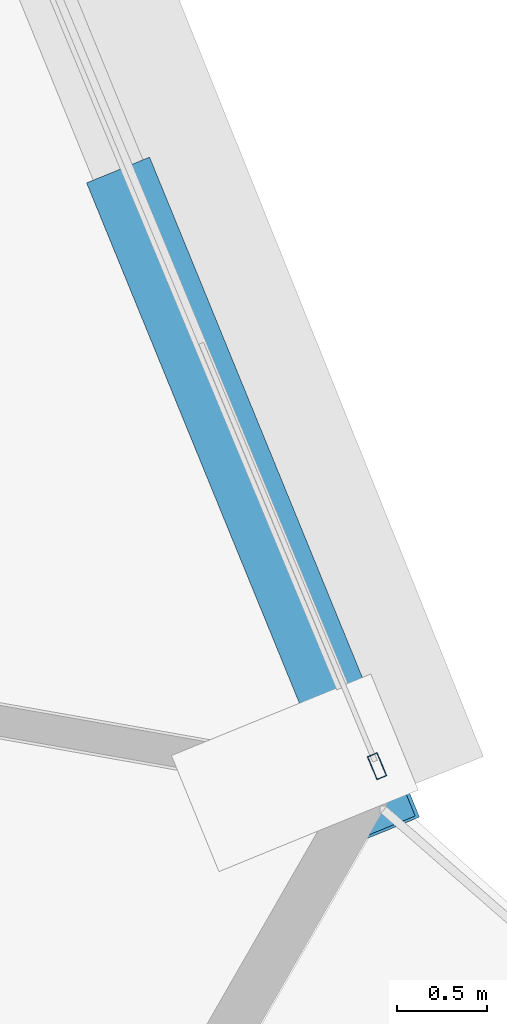
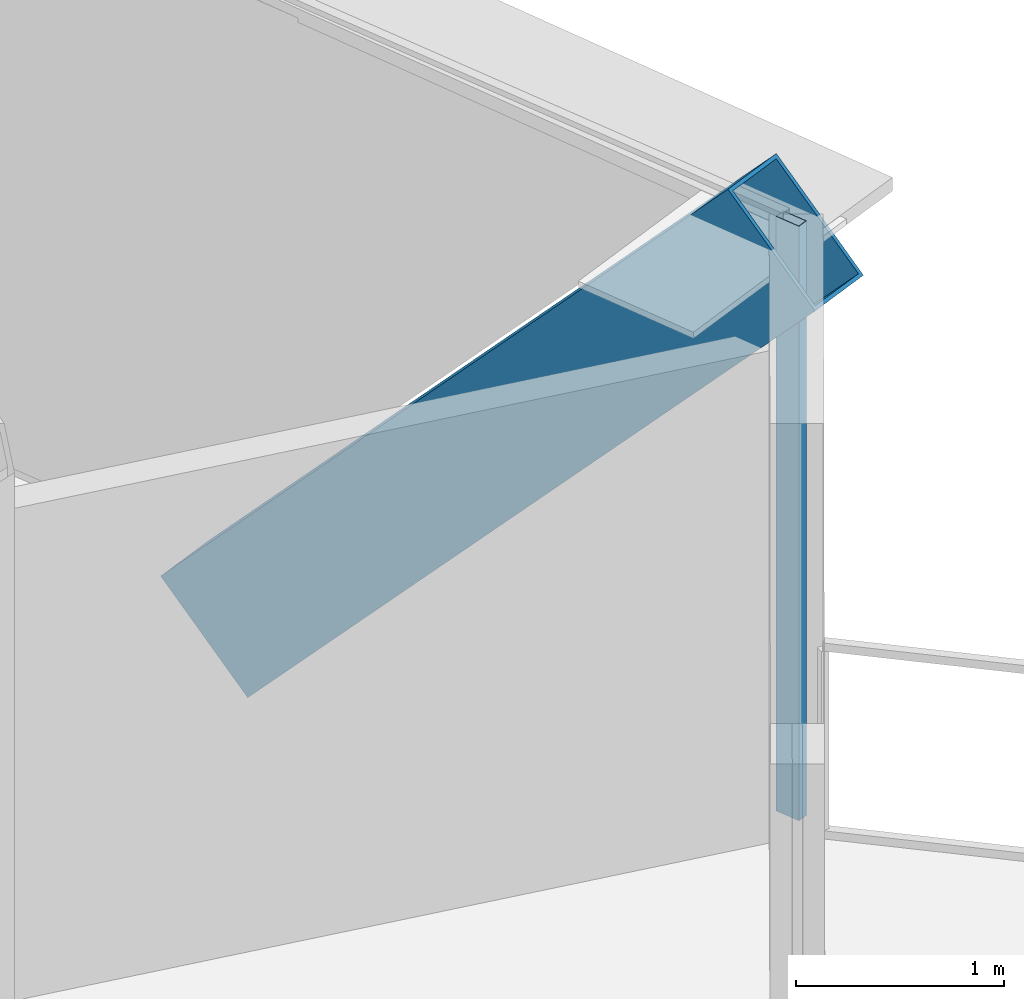
# One storey, part 16 of 34: 2 members, 1 element without a shape of its own.
"""IFC4 building model written with IfcOpenShell, lengths in metres."""

from ifc_helpers import new_model, si_unit, direction, frame, origin, origin_2d, place, context, subcontext, project, spatial, hollow_rectangle, extrude, source, transform, mapped, material, layer, layer_set, material_profile, profile_set, type_object, element, aggregate, save


model = new_model("IFC4")

# Units and contexts
model_context = context("Model", 3, precision=1e-05, world=origin(), true_north=direction((0.0, 1.0)))
body_context = subcontext(model_context, "Body", "Model", "MODEL_VIEW")
ifc_project = project(units=[si_unit("LENGTHUNIT", "METRE"), si_unit("AREAUNIT", "SQUARE_METRE"), si_unit("VOLUMEUNIT", "CUBIC_METRE"), si_unit("PLANEANGLEUNIT", "RADIAN"), si_unit("MASSUNIT", "GRAM", prefix="KILO"), si_unit("THERMODYNAMICTEMPERATUREUNIT", "KELVIN"), si_unit("POWERUNIT", "WATT")], contexts=[model_context])

# Site, building, storey
site_placement = place(None, origin())
site = spatial("IfcSite", under=ifc_project, at=site_placement, CompositionType="ELEMENT")
building_placement = place(site_placement, origin())
building = spatial("IfcBuilding", under=site, at=building_placement, Name="Yunzhuo Pagoda Commons", CompositionType="ELEMENT")
storey_placement = place(building_placement, frame((0.0, 0.0, 333.010009765625)))
storey = spatial("IfcBuildingStorey", under=building, at=storey_placement, Name="L83", CompositionType="ELEMENT", Elevation=333.010009765625)

# Member
ifc_material_1 = material(Name="Structural steel Q355B", Category="steel")
ifc_material_profile_1 = material_profile(ifc_material_1, hollow_rectangle(XDim=0.3798828125, YDim=0.719970703125, WallThickness=0.02001953125, at=origin_2d()), Name="Structural steel Q355B")
ifc_profile_set_1 = profile_set([ifc_material_profile_1], Name="Structural steel Q355B")
member_type_1 = type_object("IfcMemberType", Name="M-DL3 Brace BOX 720x380x20", PredefinedType="BRACE", material=ifc_profile_set_1)
shared_shape_1 = source(origin(), body_context, "Body", "SweptSolid", [
    extrude(hollow_rectangle(XDim=0.3798828125, YDim=0.719970703125, WallThickness=0.02001953125, at=origin_2d()), origin(), (0.0, 0.0, 1.0), 5.09619140625),
])
member_1_placement = place(storey_placement, frame((75.571044921875, 31.80224609375, -0.260009765625), z_axis=(0.256346487536, -0.626757820302, 0.735840412737), x_axis=(0.925575126988, 0.378563976497, 0.0)))
element("IfcMember", 1, at=member_1_placement, inside=storey, type_object=member_type_1, Name="L83 facade diamond brace F2.1L", PredefinedType="BRACE", context=body_context, shape_type="MappedRepresentation", body=[
    mapped(shared_shape_1, transform((0.0, 0.0, 0.0), scale=1.0)),
])

# Curtain wall, member
ifc_material_2 = material(Name="Anodized aluminium 6063-T6", Category="aluminium")
ifc_layer = layer(ifc_material_2, 0.139892578125)
ifc_layer_set = layer_set([ifc_layer], Name="Anodized aluminium 6063-T6")
curtain_wall_type = type_object("IfcCurtainWallType", Name="CW-HI High-Zone Ribbon Curtain Wall", PredefinedType="NOTDEFINED", material=ifc_layer_set)
curtain_wall_placement = place(storey_placement, origin())
curtain_wall = element("IfcCurtainWall", 2, at=curtain_wall_placement, inside=storey, type_object=curtain_wall_type, Name="L83 curtain wall CW-L83-F2B2", PredefinedType="NOTDEFINED")
ifc_material_profile_2 = material_profile(ifc_material_2, hollow_rectangle(XDim=0.06005859375, YDim=0.139892578125, WallThickness=0.00341796875, at=origin_2d()), Name="Anodized aluminium 6063-T6")
ifc_profile_set_2 = profile_set([ifc_material_profile_2], Name="Anodized aluminium 6063-T6")
member_type_2 = type_object("IfcMemberType", Name="CW-HI-M Mullion RHS 140x60x3.5", PredefinedType="MULLION", material=ifc_profile_set_2)
shared_shape_2 = source(origin(), body_context, "Body", "SweptSolid", [
    extrude(hollow_rectangle(XDim=0.06005859375, YDim=0.139892578125, WallThickness=0.00341796875, at=origin_2d()), origin(), (0.0, 0.0, 1.0), 3.489990234375),
])
member_2_placement = place(storey_placement, frame((76.91650390625, 28.718994140625, 0.0), z_axis=(0.0, 0.0, 1.0), x_axis=(-0.923407166951, -0.383821838909, 0.0)))
member_2 = element("IfcMember", 3, at=member_2_placement, type_object=member_type_2, Name="CW mullion 1", PredefinedType="MULLION", context=body_context, shape_type="MappedRepresentation", body=[
    mapped(shared_shape_2, transform((0.0, 0.0, 0.0), scale=1.0)),
])
aggregate(curtain_wall, [member_2])

save(model, "model.ifc")
